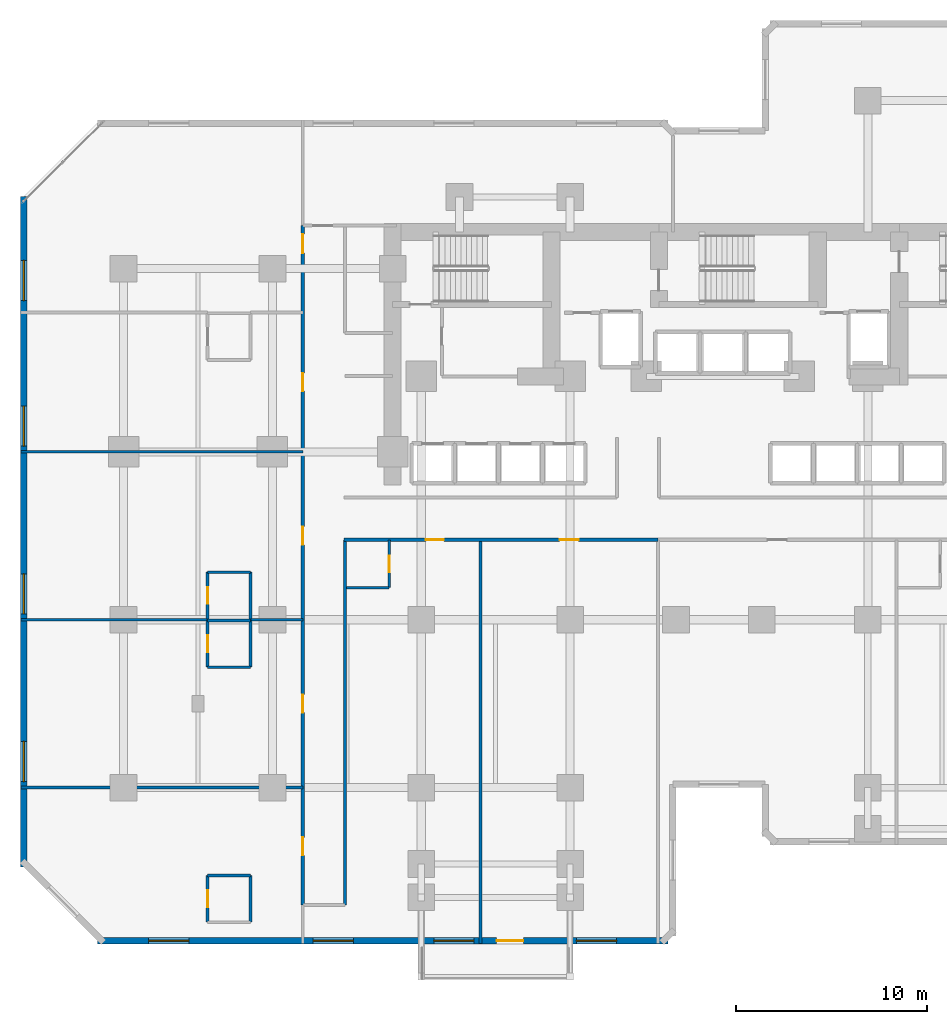
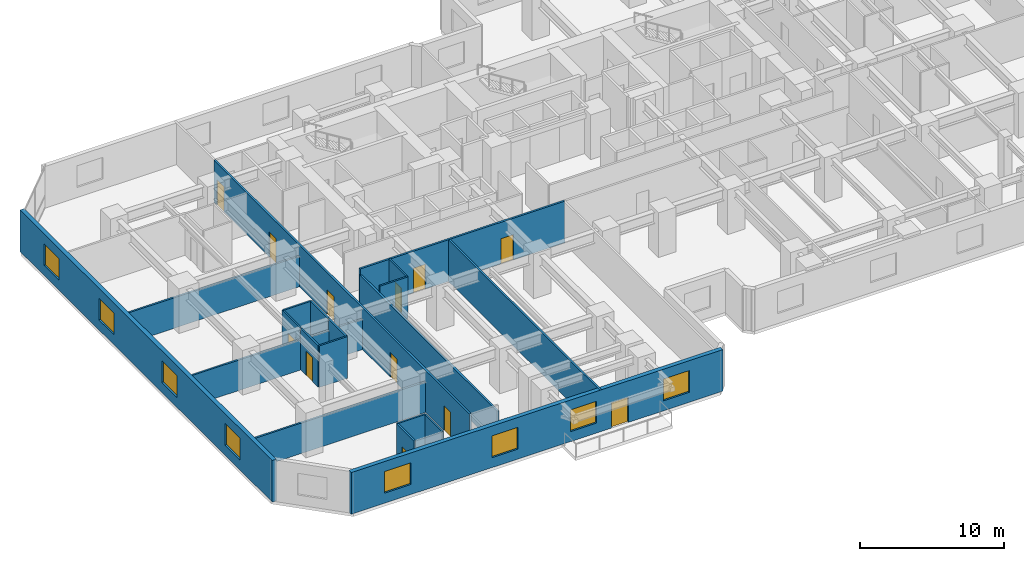
# One storey, part 5 of 11: 22 walls, 12 doors, 8 windows, 20 openings.
"""IFC4 building model written with IfcOpenShell, lengths in metres."""

from ifc_helpers import new_model, si_unit, direction, frame, frame_2d, origin, place, context, subcontext, project, spatial, rectangle, extrude, material, layer, layer_set, type_object, element, fill, save


model = new_model("IFC4")

# Units and contexts
model_context = context("Model", 3, precision=1e-05, world=origin(), true_north=direction((0.0, 1.0)))
body_context = subcontext(model_context, "Body", "Model", "MODEL_VIEW")
ifc_project = project(units=[si_unit("LENGTHUNIT", "METRE"), si_unit("AREAUNIT", "SQUARE_METRE"), si_unit("VOLUMEUNIT", "CUBIC_METRE"), si_unit("PLANEANGLEUNIT", "RADIAN"), si_unit("MASSUNIT", "GRAM", prefix="KILO")], contexts=[model_context])

# Site, building, storey
site_placement = place(None, origin())
site = spatial("IfcSite", under=ifc_project, at=site_placement, CompositionType="ELEMENT")
building_placement = place(site_placement, origin())
building = spatial("IfcBuilding", under=site, at=building_placement, Name="Kestravale Grand Hotel", CompositionType="ELEMENT")
storey_placement = place(building_placement, frame((0.0, 0.0, 29.800048828125)))
storey = spatial("IfcBuildingStorey", under=building, at=storey_placement, Name="L06", CompositionType="ELEMENT", Elevation=29.800048828125)

# Wall, openings, door, windows
ifc_material_1 = material(Name="Precast concrete f'c 45 MPa", Category="concrete")
ifc_layer_1 = layer(ifc_material_1, 0.340087890625)
ifc_layer_set_1 = layer_set([ifc_layer_1], Name="EW-PREC-340")
wall_type_1 = type_object("IfcWallType", Name="EW-PREC-340", PredefinedType="SOLIDWALL", material=ifc_layer_set_1)
wall_1_placement = place(storey_placement, frame((6.429931640625, 3.169921875, 0.0), z_axis=(0.0, 0.0, 1.0), x_axis=(1.0, 0.0, 0.0)))
wall_1 = element("IfcWall", 1, at=wall_1_placement, inside=storey, type_object=wall_type_1, Name="L06 fluted precast facade wall 1", PredefinedType="SOLIDWALL", context=body_context, shape_type="SweptSolid", body=[
    extrude(rectangle(XDim=29.89013671875, YDim=0.340087890625, at=frame_2d((14.945068359375, 0.0))), origin(), (0.0, 0.0, 1.0), 3.5400390625),
])
opening_1_placement = place(wall_1_placement, frame((20.919921875, 0.0, 0.0)))
opening_1 = element("IfcOpeningElement", 2, at=opening_1_placement, cuts=wall_1, Name="Opening D-TERR-1400", PredefinedType="OPENING", context=body_context, shape_type="SweptSolid", body=[
    extrude(rectangle(XDim=1.39990234375, YDim=2.14990234375, at=frame_2d((0.699951171875, 1.074951171875))), frame((0.0, 0.179931640625, 0.0), z_axis=(0.0, -1.0, 0.0), x_axis=(1.0, 0.0, 0.0)), (0.0, 0.0, 1.0), 0.360107421875),
])
opening_2_placement = place(wall_1_placement, frame((2.686279296875, 0.0, 0.85009765625)))
opening_2 = element("IfcOpeningElement", 3, at=opening_2_placement, cuts=wall_1, Name="Opening W-GUEST-2100", PredefinedType="OPENING", context=body_context, shape_type="SweptSolid", body=[
    extrude(rectangle(XDim=2.10009765625, YDim=1.85009765625, at=frame_2d((1.050048828125, 0.925048828125))), frame((0.0, 0.179931640625, 0.0), z_axis=(0.0, -1.0, 0.0), x_axis=(1.0, 0.0, 0.0)), (0.0, 0.0, 1.0), 0.360107421875),
])
opening_3_placement = place(wall_1_placement, frame((11.30859375, 0.0, 0.85009765625)))
opening_3 = element("IfcOpeningElement", 4, at=opening_3_placement, cuts=wall_1, Name="Opening W-GUEST-2100", PredefinedType="OPENING", context=body_context, shape_type="SweptSolid", body=[
    extrude(rectangle(XDim=2.10009765625, YDim=1.85009765625, at=frame_2d((1.050048828125, 0.925048828125))), frame((0.0, 0.179931640625, 0.0), z_axis=(0.0, -1.0, 0.0), x_axis=(1.0, 0.0, 0.0)), (0.0, 0.0, 1.0), 0.360107421875),
])
opening_4_placement = place(wall_1_placement, frame((17.631103515625, 0.0, 0.85009765625)))
opening_4 = element("IfcOpeningElement", 5, at=opening_4_placement, cuts=wall_1, Name="Opening W-GUEST-2100", PredefinedType="OPENING", context=body_context, shape_type="SweptSolid", body=[
    extrude(rectangle(XDim=2.10009765625, YDim=1.85009765625, at=frame_2d((1.050048828125, 0.925048828125))), frame((0.0, 0.179931640625, 0.0), z_axis=(0.0, -1.0, 0.0), x_axis=(1.0, 0.0, 0.0)), (0.0, 0.0, 1.0), 0.360107421875),
])
opening_5_placement = place(wall_1_placement, frame((25.103759765625, 0.0, 0.85009765625)))
opening_5 = element("IfcOpeningElement", 6, at=opening_5_placement, cuts=wall_1, Name="Opening W-GUEST-2100", PredefinedType="OPENING", context=body_context, shape_type="SweptSolid", body=[
    extrude(rectangle(XDim=2.10009765625, YDim=1.85009765625, at=frame_2d((1.050048828125, 0.925048828125))), frame((0.0, 0.179931640625, 0.0), z_axis=(0.0, -1.0, 0.0), x_axis=(1.0, 0.0, 0.0)), (0.0, 0.0, 1.0), 0.360107421875),
])
ifc_material_2 = material(Name="Insulated glazed champagne-bronze aluminium door", Category="aluminium")
door_type_1 = type_object("IfcDoorType", Name="D-TERR-1400", OperationType="NOTDEFINED", PredefinedType="DOOR", material=ifc_material_2)
door_1_placement = place(opening_1_placement, origin())
door_1 = element("IfcDoor", 7, at=door_1_placement, inside=storey, type_object=door_type_1, Name="L06 outdoor garden terrace door", OperationType="DOUBLE_DOOR_SINGLE_SWING", OverallHeight=2.14990234375, OverallWidth=1.39990234375, PredefinedType="DOOR", context=body_context, shape_type="SweptSolid", body=[
    extrude(rectangle(XDim=1.39990234375, YDim=2.14990234375, at=frame_2d((0.699951171875, 1.074951171875))), frame((0.0, 0.02490234375, 0.0), z_axis=(0.0, -1.0, 0.0), x_axis=(1.0, 0.0, 0.0)), (0.0, 0.0, 1.0), 0.050048828125),
])
fill(opening_1, door_1)
ifc_material_3 = material(Name="Insulated low-E double glazing in aluminium frame", Category="aluminium")
window_type = type_object("IfcWindowType", Name="W-GUEST-2100", PartitioningType="DOUBLE_PANEL_VERTICAL", PredefinedType="WINDOW", material=ifc_material_3)
window_1_placement = place(opening_2_placement, origin())
window_1 = element("IfcWindow", 8, at=window_1_placement, inside=storey, type_object=window_type, Name="L06 exterior window 1.1", OverallHeight=1.85009765625, OverallWidth=2.10009765625, PartitioningType="SINGLE_PANEL", PredefinedType="WINDOW", context=body_context, shape_type="SweptSolid", body=[
    extrude(rectangle(XDim=2.10009765625, YDim=1.85009765625, at=frame_2d((1.050048828125, 0.925048828125))), frame((0.0, 0.030029296875, 0.0), z_axis=(0.0, -1.0, 0.0), x_axis=(1.0, 0.0, 0.0)), (0.0, 0.0, 1.0), 0.06005859375),
])
fill(opening_2, window_1)
window_2_placement = place(opening_3_placement, origin())
window_2 = element("IfcWindow", 9, at=window_2_placement, inside=storey, type_object=window_type, Name="L06 exterior window 1.2", OverallHeight=1.85009765625, OverallWidth=2.10009765625, PartitioningType="SINGLE_PANEL", PredefinedType="WINDOW", context=body_context, shape_type="SweptSolid", body=[
    extrude(rectangle(XDim=2.10009765625, YDim=1.85009765625, at=frame_2d((1.050048828125, 0.925048828125))), frame((0.0, 0.030029296875, 0.0), z_axis=(0.0, -1.0, 0.0), x_axis=(1.0, 0.0, 0.0)), (0.0, 0.0, 1.0), 0.06005859375),
])
fill(opening_3, window_2)
window_3_placement = place(opening_4_placement, origin())
window_3 = element("IfcWindow", 10, at=window_3_placement, inside=storey, type_object=window_type, Name="L06 exterior window 1.3", OverallHeight=1.85009765625, OverallWidth=2.10009765625, PartitioningType="SINGLE_PANEL", PredefinedType="WINDOW", context=body_context, shape_type="SweptSolid", body=[
    extrude(rectangle(XDim=2.10009765625, YDim=1.85009765625, at=frame_2d((1.050048828125, 0.925048828125))), frame((0.0, 0.030029296875, 0.0), z_axis=(0.0, -1.0, 0.0), x_axis=(1.0, 0.0, 0.0)), (0.0, 0.0, 1.0), 0.06005859375),
])
fill(opening_4, window_3)
window_4_placement = place(opening_5_placement, origin())
window_4 = element("IfcWindow", 11, at=window_4_placement, inside=storey, type_object=window_type, Name="L06 exterior window 1.4", OverallHeight=1.85009765625, OverallWidth=2.10009765625, PartitioningType="SINGLE_PANEL", PredefinedType="WINDOW", context=body_context, shape_type="SweptSolid", body=[
    extrude(rectangle(XDim=2.10009765625, YDim=1.85009765625, at=frame_2d((1.050048828125, 0.925048828125))), frame((0.0, 0.030029296875, 0.0), z_axis=(0.0, -1.0, 0.0), x_axis=(1.0, 0.0, 0.0)), (0.0, 0.0, 1.0), 0.06005859375),
])
fill(opening_5, window_4)

# Wall, openings, windows
wall_2_placement = place(storey_placement, frame((2.570068359375, 42.169921875, 0.0), z_axis=(0.0, 0.0, 1.0), x_axis=(0.0, -1.0, 0.0)))
wall_2 = element("IfcWall", 12, at=wall_2_placement, inside=storey, type_object=wall_type_1, Name="L06 fluted precast facade wall 19", PredefinedType="SOLIDWALL", context=body_context, shape_type="SweptSolid", body=[
    extrude(rectangle(XDim=35.139892578125, YDim=0.340087890625, at=frame_2d((17.56982421875, 0.0))), origin(), (0.0, 0.0, 1.0), 3.5400390625),
])
opening_6_placement = place(wall_2_placement, frame((3.342529296875, 0.0, 0.85009765625)))
opening_6 = element("IfcOpeningElement", 13, at=opening_6_placement, cuts=wall_2, Name="Opening W-GUEST-2100", PredefinedType="OPENING", context=body_context, shape_type="SweptSolid", body=[
    extrude(rectangle(XDim=2.10009765625, YDim=1.85009765625, at=frame_2d((1.050048828125, 0.925048828125))), frame((0.0, 0.179931640625, 0.0), z_axis=(0.0, -1.0, 0.0), x_axis=(1.0, 0.0, 0.0)), (0.0, 0.0, 1.0), 0.360107421875),
])
opening_7_placement = place(wall_2_placement, frame((10.9775390625, 0.0, 0.85009765625)))
opening_7 = element("IfcOpeningElement", 14, at=opening_7_placement, cuts=wall_2, Name="Opening W-GUEST-2100", PredefinedType="OPENING", context=body_context, shape_type="SweptSolid", body=[
    extrude(rectangle(XDim=2.10009765625, YDim=1.85009765625, at=frame_2d((1.050048828125, 0.925048828125))), frame((0.0, 0.179931640625, 0.0), z_axis=(0.0, -1.0, 0.0), x_axis=(1.0, 0.0, 0.0)), (0.0, 0.0, 1.0), 0.360107421875),
])
opening_8_placement = place(wall_2_placement, frame((19.762451171875, 0.0, 0.85009765625)))
opening_8 = element("IfcOpeningElement", 15, at=opening_8_placement, cuts=wall_2, Name="Opening W-GUEST-2100", PredefinedType="OPENING", context=body_context, shape_type="SweptSolid", body=[
    extrude(rectangle(XDim=2.10009765625, YDim=1.85009765625, at=frame_2d((1.050048828125, 0.925048828125))), frame((0.0, 0.179931640625, 0.0), z_axis=(0.0, -1.0, 0.0), x_axis=(1.0, 0.0, 0.0)), (0.0, 0.0, 1.0), 0.360107421875),
])
opening_9_placement = place(wall_2_placement, frame((28.547607421875, 0.0, 0.85009765625)))
opening_9 = element("IfcOpeningElement", 16, at=opening_9_placement, cuts=wall_2, Name="Opening W-GUEST-2100", PredefinedType="OPENING", context=body_context, shape_type="SweptSolid", body=[
    extrude(rectangle(XDim=2.10009765625, YDim=1.85009765625, at=frame_2d((1.050048828125, 0.925048828125))), frame((0.0, 0.179931640625, 0.0), z_axis=(0.0, -1.0, 0.0), x_axis=(1.0, 0.0, 0.0)), (0.0, 0.0, 1.0), 0.360107421875),
])
window_5_placement = place(opening_6_placement, origin())
window_5 = element("IfcWindow", 17, at=window_5_placement, inside=storey, type_object=window_type, Name="L06 exterior window 19.1", OverallHeight=1.85009765625, OverallWidth=2.10009765625, PartitioningType="SINGLE_PANEL", PredefinedType="WINDOW", context=body_context, shape_type="SweptSolid", body=[
    extrude(rectangle(XDim=2.10009765625, YDim=1.85009765625, at=frame_2d((1.050048828125, 0.925048828125))), frame((0.0, 0.030029296875, 0.0), z_axis=(0.0, -1.0, 0.0), x_axis=(1.0, 0.0, 0.0)), (0.0, 0.0, 1.0), 0.06005859375),
])
fill(opening_6, window_5)
window_6_placement = place(opening_7_placement, origin())
window_6 = element("IfcWindow", 18, at=window_6_placement, inside=storey, type_object=window_type, Name="L06 exterior window 19.2", OverallHeight=1.85009765625, OverallWidth=2.10009765625, PartitioningType="SINGLE_PANEL", PredefinedType="WINDOW", context=body_context, shape_type="SweptSolid", body=[
    extrude(rectangle(XDim=2.10009765625, YDim=1.85009765625, at=frame_2d((1.050048828125, 0.925048828125))), frame((0.0, 0.030029296875, 0.0), z_axis=(0.0, -1.0, 0.0), x_axis=(1.0, 0.0, 0.0)), (0.0, 0.0, 1.0), 0.06005859375),
])
fill(opening_7, window_6)
window_7_placement = place(opening_8_placement, origin())
window_7 = element("IfcWindow", 19, at=window_7_placement, inside=storey, type_object=window_type, Name="L06 exterior window 19.3", OverallHeight=1.85009765625, OverallWidth=2.10009765625, PartitioningType="SINGLE_PANEL", PredefinedType="WINDOW", context=body_context, shape_type="SweptSolid", body=[
    extrude(rectangle(XDim=2.10009765625, YDim=1.85009765625, at=frame_2d((1.050048828125, 0.925048828125))), frame((0.0, 0.030029296875, 0.0), z_axis=(0.0, -1.0, 0.0), x_axis=(1.0, 0.0, 0.0)), (0.0, 0.0, 1.0), 0.06005859375),
])
fill(opening_8, window_7)
window_8_placement = place(opening_9_placement, origin())
window_8 = element("IfcWindow", 20, at=window_8_placement, inside=storey, type_object=window_type, Name="L06 exterior window 19.4", OverallHeight=1.85009765625, OverallWidth=2.10009765625, PartitioningType="SINGLE_PANEL", PredefinedType="WINDOW", context=body_context, shape_type="SweptSolid", body=[
    extrude(rectangle(XDim=2.10009765625, YDim=1.85009765625, at=frame_2d((1.050048828125, 0.925048828125))), frame((0.0, 0.030029296875, 0.0), z_axis=(0.0, -1.0, 0.0), x_axis=(1.0, 0.0, 0.0)), (0.0, 0.0, 1.0), 0.06005859375),
])
fill(opening_9, window_8)

# Wall, openings, doors
ifc_material_4 = material(Name="Acoustic fire-rated gypsum board partition", Category="other")
ifc_layer_2 = layer(ifc_material_4, 0.159912109375)
ifc_layer_set_2 = layer_set([ifc_layer_2], Name="IW-CORR-160")
wall_type_2 = type_object("IfcWallType", Name="IW-CORR-160", PredefinedType="PARTITIONING", material=ifc_layer_set_2)
wall_3_placement = place(storey_placement, frame((19.35009765625, 24.18994140625, 0.0), z_axis=(0.0, 0.0, 1.0), x_axis=(1.0, 0.0, 0.0)))
wall_3 = element("IfcWall", 21, at=wall_3_placement, inside=storey, type_object=wall_type_2, Name="W-L06-CW-S", PredefinedType="PARTITIONING", context=body_context, shape_type="SweptSolid", body=[
    extrude(rectangle(XDim=16.449951171875, YDim=0.159912109375, at=frame_2d((8.22509765625, 0.0))), origin(), (0.0, 0.0, 1.0), 3.5400390625),
])
opening_10_placement = place(wall_3_placement, frame((4.28759765625, 0.0, 0.0)))
opening_10 = element("IfcOpeningElement", 22, at=opening_10_placement, cuts=wall_3, Name="Opening D-GUEST-950", PredefinedType="OPENING", context=body_context, shape_type="SweptSolid", body=[
    extrude(rectangle(XDim=0.949951171875, YDim=2.10009765625, at=frame_2d((0.47509765625, 1.050048828125))), frame((0.0, 0.08984375, 0.0), z_axis=(0.0, -1.0, 0.0), x_axis=(1.0, 0.0, 0.0)), (0.0, 0.0, 1.0), 0.179931640625),
])
opening_11_placement = place(wall_3_placement, frame((11.302490234375, 0.0, 0.0)))
opening_11 = element("IfcOpeningElement", 23, at=opening_11_placement, cuts=wall_3, Name="Opening D-GUEST-1000", PredefinedType="OPENING", context=body_context, shape_type="SweptSolid", body=[
    extrude(rectangle(XDim=1.0, YDim=2.14990234375, at=frame_2d((0.5, 1.074951171875))), frame((0.0, 0.08984375, 0.0), z_axis=(0.0, -1.0, 0.0), x_axis=(1.0, 0.0, 0.0)), (0.0, 0.0, 1.0), 0.179931640625),
])
ifc_material_5 = material(Name="Accessible walnut veneer hotel entrance fire door", Category="wood")
door_type_2 = type_object("IfcDoorType", Name="D-GUEST-1000", OperationType="NOTDEFINED", PredefinedType="DOOR", material=ifc_material_5)
door_2_placement = place(opening_11_placement, origin())
door_2 = element("IfcDoor", 24, at=door_2_placement, inside=storey, type_object=door_type_2, Name="D-L06-AMW", OperationType="SINGLE_SWING_RIGHT", OverallHeight=2.14990234375, OverallWidth=1.0, PredefinedType="DOOR", context=body_context, shape_type="SweptSolid", body=[
    extrude(rectangle(XDim=1.0, YDim=2.14990234375, at=frame_2d((0.5, 1.074951171875))), frame((0.0, 0.02490234375, 0.0), z_axis=(0.0, -1.0, 0.0), x_axis=(1.0, 0.0, 0.0)), (0.0, 0.0, 1.0), 0.050048828125),
])
fill(opening_11, door_2)
ifc_material_6 = material(Name="Walnut veneer hotel guestroom entrance fire door", Category="wood")
door_type_3 = type_object("IfcDoorType", Name="D-GUEST-950", OperationType="NOTDEFINED", PredefinedType="DOOR", material=ifc_material_6)
door_3_placement = place(opening_10_placement, origin())
door_3 = element("IfcDoor", 25, at=door_3_placement, inside=storey, type_object=door_type_3, Name="D-L06-U01-ENT", OperationType="SINGLE_SWING_LEFT", OverallHeight=2.10009765625, OverallWidth=0.949951171875, PredefinedType="DOOR", context=body_context, shape_type="SweptSolid", body=[
    extrude(rectangle(XDim=0.949951171875, YDim=2.10009765625, at=frame_2d((0.47509765625, 1.050048828125))), frame((0.0, 0.02490234375, 0.0), z_axis=(0.0, -1.0, 0.0), x_axis=(1.0, 0.0, 0.0)), (0.0, 0.0, 1.0), 0.050048828125),
])
fill(opening_10, door_3)

wall_4_placement = place(storey_placement, frame((17.18994140625, 5.050048828125, 0.0), z_axis=(0.0, 0.0, 1.0), x_axis=(0.0, 1.0, 0.0)))
wall_4 = element("IfcWall", 26, at=wall_4_placement, inside=storey, type_object=wall_type_2, Name="W-L06-SW-W", PredefinedType="PARTITIONING", context=body_context, shape_type="SweptSolid", body=[
    extrude(rectangle(XDim=35.599853515625, YDim=0.159912109375, at=frame_2d((17.7998046875, 0.0))), origin(), (0.0, 0.0, 1.0), 3.5400390625),
])
opening_12_placement = place(wall_4_placement, frame((2.60009765625, 0.0, 0.0)))
opening_12 = element("IfcOpeningElement", 27, at=opening_12_placement, cuts=wall_4, Name="Opening D-GUEST-950", PredefinedType="OPENING", context=body_context, shape_type="SweptSolid", body=[
    extrude(rectangle(XDim=0.949951171875, YDim=2.10009765625, at=frame_2d((0.47509765625, 1.050048828125))), frame((0.0, 0.08984375, 0.0), z_axis=(0.0, -1.0, 0.0), x_axis=(1.0, 0.0, 0.0)), (0.0, 0.0, 1.0), 0.179931640625),
])
opening_13_placement = place(wall_4_placement, frame((10.074951171875, 0.0, 0.0)))
opening_13 = element("IfcOpeningElement", 28, at=opening_13_placement, cuts=wall_4, Name="Opening D-GUEST-950", PredefinedType="OPENING", context=body_context, shape_type="SweptSolid", body=[
    extrude(rectangle(XDim=0.949951171875, YDim=2.10009765625, at=frame_2d((0.47509765625, 1.050048828125))), frame((0.0, 0.08984375, 0.0), z_axis=(0.0, -1.0, 0.0), x_axis=(1.0, 0.0, 0.0)), (0.0, 0.0, 1.0), 0.179931640625),
])
opening_14_placement = place(wall_4_placement, frame((18.875, 0.0, 0.0)))
opening_14 = element("IfcOpeningElement", 29, at=opening_14_placement, cuts=wall_4, Name="Opening D-GUEST-950", PredefinedType="OPENING", context=body_context, shape_type="SweptSolid", body=[
    extrude(rectangle(XDim=0.949951171875, YDim=2.10009765625, at=frame_2d((0.47509765625, 1.050048828125))), frame((0.0, 0.08984375, 0.0), z_axis=(0.0, -1.0, 0.0), x_axis=(1.0, 0.0, 0.0)), (0.0, 0.0, 1.0), 0.179931640625),
])
opening_15_placement = place(wall_4_placement, frame((26.925048828125, 0.0, 0.0)))
opening_15 = element("IfcOpeningElement", 30, at=opening_15_placement, cuts=wall_4, Name="Opening D-GUEST-950", PredefinedType="OPENING", context=body_context, shape_type="SweptSolid", body=[
    extrude(rectangle(XDim=0.949951171875, YDim=2.10009765625, at=frame_2d((0.47509765625, 1.050048828125))), frame((0.0, 0.08984375, 0.0), z_axis=(0.0, -1.0, 0.0), x_axis=(1.0, 0.0, 0.0)), (0.0, 0.0, 1.0), 0.179931640625),
])
opening_16_placement = place(wall_4_placement, frame((34.159912109375, 0.0, 0.0)))
opening_16 = element("IfcOpeningElement", 31, at=opening_16_placement, cuts=wall_4, Name="Opening D-GUEST-1000", PredefinedType="OPENING", context=body_context, shape_type="SweptSolid", body=[
    extrude(rectangle(XDim=1.0, YDim=2.14990234375, at=frame_2d((0.5, 1.074951171875))), frame((0.0, 0.08984375, 0.0), z_axis=(0.0, -1.0, 0.0), x_axis=(1.0, 0.0, 0.0)), (0.0, 0.0, 1.0), 0.179931640625),
])
door_4_placement = place(opening_16_placement, origin())
door_4 = element("IfcDoor", 32, at=door_4_placement, inside=storey, type_object=door_type_2, Name="D-L06-AMWW", OperationType="SINGLE_SWING_RIGHT", OverallHeight=2.14990234375, OverallWidth=1.0, PredefinedType="DOOR", context=body_context, shape_type="SweptSolid", body=[
    extrude(rectangle(XDim=1.0, YDim=2.14990234375, at=frame_2d((0.5, 1.074951171875))), frame((0.0, 0.02490234375, 0.0), z_axis=(0.0, -1.0, 0.0), x_axis=(1.0, 0.0, 0.0)), (0.0, 0.0, 1.0), 0.050048828125),
])
fill(opening_16, door_4)
door_5_placement = place(opening_12_placement, origin())
door_5 = element("IfcDoor", 33, at=door_5_placement, inside=storey, type_object=door_type_3, Name="D-L06-U03-ENT", OperationType="SINGLE_SWING_LEFT", OverallHeight=2.10009765625, OverallWidth=0.949951171875, PredefinedType="DOOR", context=body_context, shape_type="SweptSolid", body=[
    extrude(rectangle(XDim=0.949951171875, YDim=2.10009765625, at=frame_2d((0.47509765625, 1.050048828125))), frame((0.0, 0.02490234375, 0.0), z_axis=(0.0, -1.0, 0.0), x_axis=(1.0, 0.0, 0.0)), (0.0, 0.0, 1.0), 0.050048828125),
])
fill(opening_12, door_5)
door_6_placement = place(opening_13_placement, origin())
door_6 = element("IfcDoor", 34, at=door_6_placement, inside=storey, type_object=door_type_3, Name="D-L06-U04-ENT", OperationType="SINGLE_SWING_LEFT", OverallHeight=2.10009765625, OverallWidth=0.949951171875, PredefinedType="DOOR", context=body_context, shape_type="SweptSolid", body=[
    extrude(rectangle(XDim=0.949951171875, YDim=2.10009765625, at=frame_2d((0.47509765625, 1.050048828125))), frame((0.0, 0.02490234375, 0.0), z_axis=(0.0, -1.0, 0.0), x_axis=(1.0, 0.0, 0.0)), (0.0, 0.0, 1.0), 0.050048828125),
])
fill(opening_13, door_6)
door_7_placement = place(opening_14_placement, origin())
door_7 = element("IfcDoor", 35, at=door_7_placement, inside=storey, type_object=door_type_3, Name="D-L06-U05-ENT", OperationType="SINGLE_SWING_LEFT", OverallHeight=2.10009765625, OverallWidth=0.949951171875, PredefinedType="DOOR", context=body_context, shape_type="SweptSolid", body=[
    extrude(rectangle(XDim=0.949951171875, YDim=2.10009765625, at=frame_2d((0.47509765625, 1.050048828125))), frame((0.0, 0.02490234375, 0.0), z_axis=(0.0, -1.0, 0.0), x_axis=(1.0, 0.0, 0.0)), (0.0, 0.0, 1.0), 0.050048828125),
])
fill(opening_14, door_7)
door_8_placement = place(opening_15_placement, origin())
door_8 = element("IfcDoor", 36, at=door_8_placement, inside=storey, type_object=door_type_3, Name="D-L06-U06-ENT", OperationType="SINGLE_SWING_LEFT", OverallHeight=2.10009765625, OverallWidth=0.949951171875, PredefinedType="DOOR", context=body_context, shape_type="SweptSolid", body=[
    extrude(rectangle(XDim=0.949951171875, YDim=2.10009765625, at=frame_2d((0.47509765625, 1.050048828125))), frame((0.0, 0.02490234375, 0.0), z_axis=(0.0, -1.0, 0.0), x_axis=(1.0, 0.0, 0.0)), (0.0, 0.0, 1.0), 0.050048828125),
])
fill(opening_15, door_8)

# Wall
wall_5_placement = place(storey_placement, frame((19.409912109375, 5.050048828125, 0.0), z_axis=(0.0, 0.0, 1.0), x_axis=(0.0, 1.0, 0.0)))
element("IfcWall", 37, at=wall_5_placement, inside=storey, type_object=wall_type_2, Name="W-L06-SW-E", PredefinedType="PARTITIONING", context=body_context, shape_type="SweptSolid", body=[
    extrude(rectangle(XDim=19.139892578125, YDim=0.159912109375, at=frame_2d((9.56982421875, 0.0))), origin(), (0.0, 0.0, 1.0), 3.00390625),
])

# Wall, opening, door
ifc_material_7 = material(Name="Moisture-resistant tile-backer plumbing chase wall", Category="other")
ifc_layer_3 = layer(ifc_material_7, 0.139892578125)
ifc_layer_set_3 = layer_set([ifc_layer_3], Name="IW-PLB-140")
wall_type_3 = type_object("IfcWallType", Name="IW-PLB-140", PredefinedType="PLUMBINGWALL", material=ifc_layer_set_3)
wall_6_placement = place(storey_placement, frame((21.719970703125, 21.679931640625, 0.0), z_axis=(0.0, 0.0, 1.0), x_axis=(0.0, 1.0, 0.0)))
wall_6 = element("IfcWall", 38, at=wall_6_placement, inside=storey, type_object=wall_type_3, Name="W-L06-U01-BE", PredefinedType="PLUMBINGWALL", context=body_context, shape_type="SweptSolid", body=[
    extrude(rectangle(XDim=2.489990234375, YDim=0.139892578125, at=frame_2d((1.2451171875, 0.0))), origin(), (0.0, 0.0, 1.0), 3.5400390625),
])
opening_17_placement = place(wall_6_placement, frame((0.804931640625, 0.0, 0.0)))
opening_17 = element("IfcOpeningElement", 39, at=opening_17_placement, cuts=wall_6, Name="Opening D-BATH-880", PredefinedType="OPENING", context=body_context, shape_type="SweptSolid", body=[
    extrude(rectangle(XDim=0.8798828125, YDim=2.050048828125, at=frame_2d((0.43994140625, 1.02490234375))), frame((0.0, 0.079833984375, 0.0), z_axis=(0.0, -1.0, 0.0), x_axis=(1.0, 0.0, 0.0)), (0.0, 0.0, 1.0), 0.159912109375),
])
ifc_material_8 = material(Name="Moisture-sealed walnut en-suite bathroom door", Category="wood")
door_type_4 = type_object("IfcDoorType", Name="D-BATH-880", OperationType="NOTDEFINED", PredefinedType="DOOR", material=ifc_material_8)
door_9_placement = place(opening_17_placement, origin())
door_9 = element("IfcDoor", 40, at=door_9_placement, inside=storey, type_object=door_type_4, Name="D-L06-U01-BATH", OperationType="SINGLE_SWING_RIGHT", OverallHeight=2.050048828125, OverallWidth=0.8798828125, PredefinedType="DOOR", context=body_context, shape_type="SweptSolid", body=[
    extrude(rectangle(XDim=0.8798828125, YDim=2.050048828125, at=frame_2d((0.43994140625, 1.02490234375))), frame((0.0, 0.02490234375, 0.0), z_axis=(0.0, -1.0, 0.0), x_axis=(1.0, 0.0, 0.0)), (0.0, 0.0, 1.0), 0.050048828125),
])
fill(opening_17, door_9)

# Wall
wall_7_placement = place(storey_placement, frame((19.469970703125, 21.679931640625, 0.0), z_axis=(0.0, 0.0, 1.0), x_axis=(1.0, 0.0, 0.0)))
element("IfcWall", 41, at=wall_7_placement, inside=storey, type_object=wall_type_3, Name="W-L06-U01-BS", PredefinedType="PLUMBINGWALL", context=body_context, shape_type="SweptSolid", body=[
    extrude(rectangle(XDim=2.25, YDim=0.139892578125, at=frame_2d((1.125, 0.0))), origin(), (0.0, 0.0, 1.0), 3.5400390625),
])

# Wall, opening, door
wall_8_placement = place(storey_placement, frame((12.199951171875, 4.14990234375, 0.0), z_axis=(0.0, 0.0, 1.0), x_axis=(0.0, 1.0, 0.0)))
wall_8 = element("IfcWall", 42, at=wall_8_placement, inside=storey, type_object=wall_type_3, Name="W-L06-U03-BW", PredefinedType="PLUMBINGWALL", context=body_context, shape_type="SweptSolid", body=[
    extrude(rectangle(XDim=2.4501953125, YDim=0.139892578125, at=frame_2d((1.22509765625, 0.0))), origin(), (0.0, 0.0, 1.0), 3.5400390625),
])
opening_18_placement = place(wall_8_placement, frame((0.784912109375, 0.0, 0.0)))
opening_18 = element("IfcOpeningElement", 43, at=opening_18_placement, cuts=wall_8, Name="Opening D-BATH-880", PredefinedType="OPENING", context=body_context, shape_type="SweptSolid", body=[
    extrude(rectangle(XDim=0.8798828125, YDim=2.050048828125, at=frame_2d((0.43994140625, 1.02490234375))), frame((0.0, 0.079833984375, 0.0), z_axis=(0.0, -1.0, 0.0), x_axis=(1.0, 0.0, 0.0)), (0.0, 0.0, 1.0), 0.159912109375),
])
door_10_placement = place(opening_18_placement, origin())
door_10 = element("IfcDoor", 44, at=door_10_placement, inside=storey, type_object=door_type_4, Name="D-L06-U03-BATH", OperationType="SINGLE_SWING_RIGHT", OverallHeight=2.050048828125, OverallWidth=0.8798828125, PredefinedType="DOOR", context=body_context, shape_type="SweptSolid", body=[
    extrude(rectangle(XDim=0.8798828125, YDim=2.050048828125, at=frame_2d((0.43994140625, 1.02490234375))), frame((0.0, 0.02490234375, 0.0), z_axis=(0.0, -1.0, 0.0), x_axis=(1.0, 0.0, 0.0)), (0.0, 0.0, 1.0), 0.050048828125),
])
fill(opening_18, door_10)

# Walls
wall_9_placement = place(storey_placement, frame((14.449951171875, 4.14990234375, 0.0), z_axis=(0.0, 0.0, 1.0), x_axis=(0.0, 1.0, 0.0)))
element("IfcWall", 45, at=wall_9_placement, inside=storey, type_object=wall_type_3, Name="W-L06-U03-BE", PredefinedType="PLUMBINGWALL", context=body_context, shape_type="SweptSolid", body=[
    extrude(rectangle(XDim=2.4501953125, YDim=0.139892578125, at=frame_2d((1.22509765625, 0.0))), origin(), (0.0, 0.0, 1.0), 3.5400390625),
])
wall_10_placement = place(storey_placement, frame((12.199951171875, 6.60009765625, 0.0), z_axis=(0.0, 0.0, 1.0), x_axis=(1.0, 0.0, 0.0)))
element("IfcWall", 46, at=wall_10_placement, inside=storey, type_object=wall_type_3, Name="W-L06-U03-BN", PredefinedType="PLUMBINGWALL", context=body_context, shape_type="SweptSolid", body=[
    extrude(rectangle(XDim=2.25, YDim=0.139892578125, at=frame_2d((1.125, 0.0))), origin(), (0.0, 0.0, 1.0), 3.5400390625),
])

# Wall, opening, door
wall_11_placement = place(storey_placement, frame((12.199951171875, 17.510009765625, 0.0), z_axis=(0.0, 0.0, 1.0), x_axis=(0.0, 1.0, 0.0)))
wall_11 = element("IfcWall", 47, at=wall_11_placement, inside=storey, type_object=wall_type_3, Name="W-L06-U04-BW", PredefinedType="PLUMBINGWALL", context=body_context, shape_type="SweptSolid", body=[
    extrude(rectangle(XDim=2.449951171875, YDim=0.139892578125, at=frame_2d((1.22509765625, 0.0))), origin(), (0.0, 0.0, 1.0), 3.5400390625),
])
opening_19_placement = place(wall_11_placement, frame((0.784912109375, 0.0, 0.0)))
opening_19 = element("IfcOpeningElement", 48, at=opening_19_placement, cuts=wall_11, Name="Opening D-BATH-880", PredefinedType="OPENING", context=body_context, shape_type="SweptSolid", body=[
    extrude(rectangle(XDim=0.8798828125, YDim=2.050048828125, at=frame_2d((0.43994140625, 1.02490234375))), frame((0.0, 0.079833984375, 0.0), z_axis=(0.0, -1.0, 0.0), x_axis=(1.0, 0.0, 0.0)), (0.0, 0.0, 1.0), 0.159912109375),
])
door_11_placement = place(opening_19_placement, origin())
door_11 = element("IfcDoor", 49, at=door_11_placement, inside=storey, type_object=door_type_4, Name="D-L06-U04-BATH", OperationType="SINGLE_SWING_RIGHT", OverallHeight=2.050048828125, OverallWidth=0.8798828125, PredefinedType="DOOR", context=body_context, shape_type="SweptSolid", body=[
    extrude(rectangle(XDim=0.8798828125, YDim=2.050048828125, at=frame_2d((0.43994140625, 1.02490234375))), frame((0.0, 0.02490234375, 0.0), z_axis=(0.0, -1.0, 0.0), x_axis=(1.0, 0.0, 0.0)), (0.0, 0.0, 1.0), 0.050048828125),
])
fill(opening_19, door_11)

# Walls
wall_12_placement = place(storey_placement, frame((14.449951171875, 17.510009765625, 0.0), z_axis=(0.0, 0.0, 1.0), x_axis=(0.0, 1.0, 0.0)))
element("IfcWall", 50, at=wall_12_placement, inside=storey, type_object=wall_type_3, Name="W-L06-U04-BE", PredefinedType="PLUMBINGWALL", context=body_context, shape_type="SweptSolid", body=[
    extrude(rectangle(XDim=2.449951171875, YDim=0.139892578125, at=frame_2d((1.22509765625, 0.0))), origin(), (0.0, 0.0, 1.0), 3.5400390625),
])
wall_13_placement = place(storey_placement, frame((12.199951171875, 17.510009765625, 0.0), z_axis=(0.0, 0.0, 1.0), x_axis=(1.0, 0.0, 0.0)))
element("IfcWall", 51, at=wall_13_placement, inside=storey, type_object=wall_type_3, Name="W-L06-U04-BS", PredefinedType="PLUMBINGWALL", context=body_context, shape_type="SweptSolid", body=[
    extrude(rectangle(XDim=2.25, YDim=0.139892578125, at=frame_2d((1.125, 0.0))), origin(), (0.0, 0.0, 1.0), 3.5400390625),
])
wall_14_placement = place(storey_placement, frame((12.199951171875, 19.9599609375, 0.0), z_axis=(0.0, 0.0, 1.0), x_axis=(1.0, 0.0, 0.0)))
element("IfcWall", 52, at=wall_14_placement, inside=storey, type_object=wall_type_3, Name="W-L06-U04-BN", PredefinedType="PLUMBINGWALL", context=body_context, shape_type="SweptSolid", body=[
    extrude(rectangle(XDim=2.25, YDim=0.139892578125, at=frame_2d((1.125, 0.0))), origin(), (0.0, 0.0, 1.0), 2.593017578125),
])

# Wall, opening, door
wall_15_placement = place(storey_placement, frame((12.199951171875, 20.0400390625, 0.0), z_axis=(0.0, 0.0, 1.0), x_axis=(0.0, 1.0, 0.0)))
wall_15 = element("IfcWall", 53, at=wall_15_placement, inside=storey, type_object=wall_type_3, Name="W-L06-U05-BW", PredefinedType="PLUMBINGWALL", context=body_context, shape_type="SweptSolid", body=[
    extrude(rectangle(XDim=2.449951171875, YDim=0.139892578125, at=frame_2d((1.22509765625, 0.0))), origin(), (0.0, 0.0, 1.0), 3.5400390625),
])
opening_20_placement = place(wall_15_placement, frame((0.784912109375, 0.0, 0.0)))
opening_20 = element("IfcOpeningElement", 54, at=opening_20_placement, cuts=wall_15, Name="Opening D-BATH-880", PredefinedType="OPENING", context=body_context, shape_type="SweptSolid", body=[
    extrude(rectangle(XDim=0.8798828125, YDim=2.050048828125, at=frame_2d((0.43994140625, 1.02490234375))), frame((0.0, 0.079833984375, 0.0), z_axis=(0.0, -1.0, 0.0), x_axis=(1.0, 0.0, 0.0)), (0.0, 0.0, 1.0), 0.159912109375),
])
door_12_placement = place(opening_20_placement, origin())
door_12 = element("IfcDoor", 55, at=door_12_placement, inside=storey, type_object=door_type_4, Name="D-L06-U05-BATH", OperationType="SINGLE_SWING_RIGHT", OverallHeight=2.050048828125, OverallWidth=0.8798828125, PredefinedType="DOOR", context=body_context, shape_type="SweptSolid", body=[
    extrude(rectangle(XDim=0.8798828125, YDim=2.050048828125, at=frame_2d((0.43994140625, 1.02490234375))), frame((0.0, 0.02490234375, 0.0), z_axis=(0.0, -1.0, 0.0), x_axis=(1.0, 0.0, 0.0)), (0.0, 0.0, 1.0), 0.050048828125),
])
fill(opening_20, door_12)

# Walls
wall_16_placement = place(storey_placement, frame((14.449951171875, 20.0400390625, 0.0), z_axis=(0.0, 0.0, 1.0), x_axis=(0.0, 1.0, 0.0)))
element("IfcWall", 56, at=wall_16_placement, inside=storey, type_object=wall_type_3, Name="W-L06-U05-BE", PredefinedType="PLUMBINGWALL", context=body_context, shape_type="SweptSolid", body=[
    extrude(rectangle(XDim=2.449951171875, YDim=0.139892578125, at=frame_2d((1.22509765625, 0.0))), origin(), (0.0, 0.0, 1.0), 3.5400390625),
])
wall_17_placement = place(storey_placement, frame((12.199951171875, 22.489990234375, 0.0), z_axis=(0.0, 0.0, 1.0), x_axis=(1.0, 0.0, 0.0)))
element("IfcWall", 57, at=wall_17_placement, inside=storey, type_object=wall_type_3, Name="W-L06-U05-BN", PredefinedType="PLUMBINGWALL", context=body_context, shape_type="SweptSolid", body=[
    extrude(rectangle(XDim=2.25, YDim=0.139892578125, at=frame_2d((1.125, 0.0))), origin(), (0.0, 0.0, 1.0), 3.5400390625),
])
ifc_material_9 = material(Name="Double-stud STC 52 acoustic demising partition", Category="other")
ifc_layer_4 = layer(ifc_material_9, 0.14990234375)
ifc_layer_set_4 = layer_set([ifc_layer_4], Name="IW-UNIT-150")
wall_type_4 = type_object("IfcWallType", Name="IW-UNIT-150", PredefinedType="PARTITIONING", material=ifc_layer_set_4)
wall_18_placement = place(storey_placement, frame((26.5048828125, 3.02001953125, 0.0), z_axis=(0.0, 0.0, 1.0), x_axis=(0.0, 1.0, 0.0)))
element("IfcWall", 58, at=wall_18_placement, inside=storey, type_object=wall_type_4, Name="W-L06-WS-1", PredefinedType="PARTITIONING", context=body_context, shape_type="SweptSolid", body=[
    extrude(rectangle(XDim=21.169921875, YDim=0.14990234375, at=frame_2d((10.5849609375, 0.0))), origin(), (0.0, 0.0, 1.0), 3.5400390625),
])
wall_19_placement = place(storey_placement, frame((2.419921875, 11.199951171875, 0.0), z_axis=(0.0, 0.0, 1.0), x_axis=(1.0, 0.0, 0.0)))
element("IfcWall", 59, at=wall_19_placement, inside=storey, type_object=wall_type_4, Name="W-L06-WW-1", PredefinedType="PARTITIONING", context=body_context, shape_type="SweptSolid", body=[
    extrude(rectangle(XDim=14.77001953125, YDim=0.14990234375, at=frame_2d((7.385009765625, 0.0))), origin(), (0.0, 0.0, 1.0), 2.593017578125),
])
wall_20_placement = place(storey_placement, frame((2.419921875, 20.0, 0.0), z_axis=(0.0, 0.0, 1.0), x_axis=(1.0, 0.0, 0.0)))
element("IfcWall", 60, at=wall_20_placement, inside=storey, type_object=wall_type_4, Name="W-L06-WW-2", PredefinedType="PARTITIONING", context=body_context, shape_type="SweptSolid", body=[
    extrude(rectangle(XDim=9.780029296875, YDim=0.14990234375, at=frame_2d((4.89013671875, 0.0))), origin(), (0.0, 0.0, 1.0), 2.593017578125),
])
wall_21_placement = place(storey_placement, frame((14.449951171875, 20.0, 0.0), z_axis=(0.0, 0.0, 1.0), x_axis=(1.0, 0.0, 0.0)))
element("IfcWall", 61, at=wall_21_placement, inside=storey, type_object=wall_type_4, Name="W-L06-WW-2", PredefinedType="PARTITIONING", context=body_context, shape_type="SweptSolid", body=[
    extrude(rectangle(XDim=2.739990234375, YDim=0.14990234375, at=frame_2d((1.3701171875, 0.0))), origin(), (0.0, 0.0, 1.0), 2.593017578125),
])
wall_22_placement = place(storey_placement, frame((2.419921875, 28.800048828125, 0.0), z_axis=(0.0, 0.0, 1.0), x_axis=(1.0, 0.0, 0.0)))
element("IfcWall", 62, at=wall_22_placement, inside=storey, type_object=wall_type_4, Name="W-L06-WW-3", PredefinedType="PARTITIONING", context=body_context, shape_type="SweptSolid", body=[
    extrude(rectangle(XDim=14.77001953125, YDim=0.14990234375, at=frame_2d((7.385009765625, 0.0))), origin(), (0.0, 0.0, 1.0), 2.593017578125),
])

save(model, "model.ifc")
